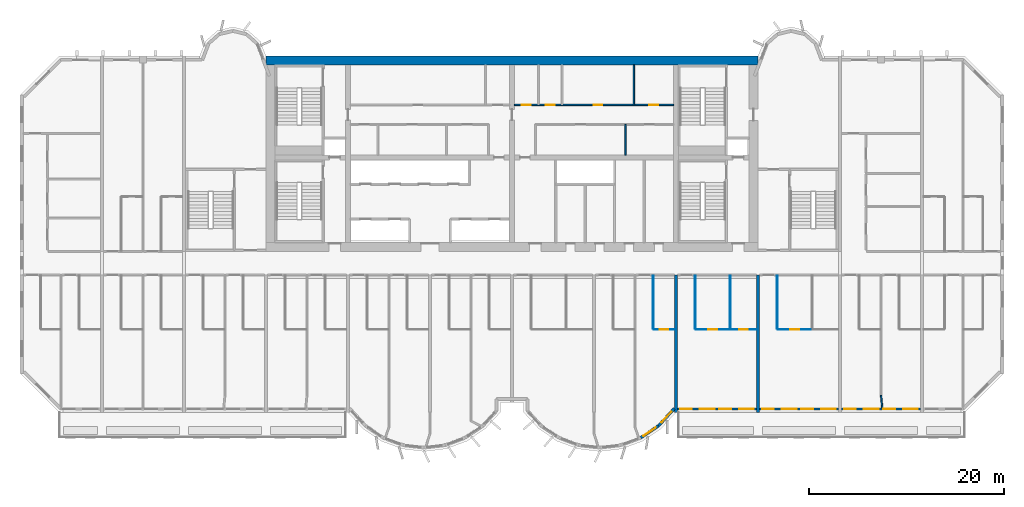
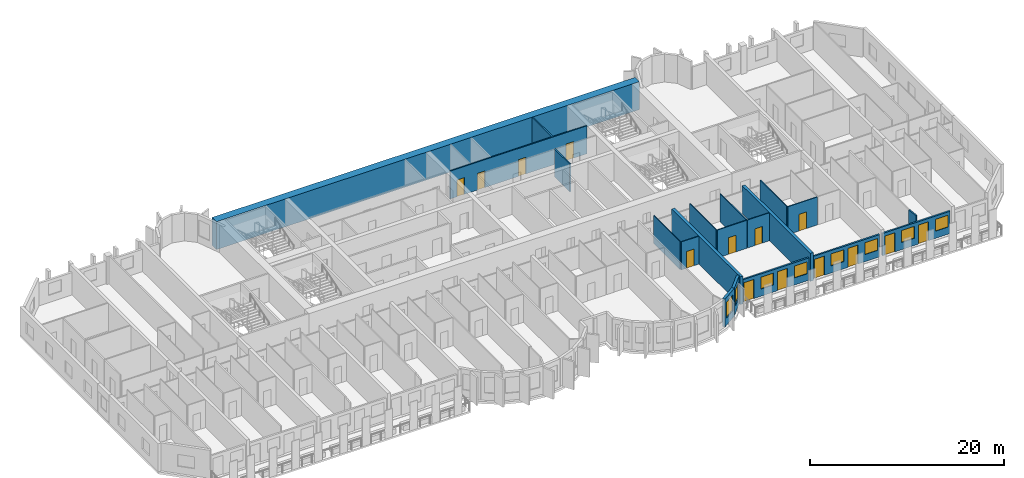
# One storey, part 8 of 15: 20 walls, 14 doors, 8 windows, 22 openings.
"""IFC4 building model written with IfcOpenShell, lengths in metres."""

from ifc_helpers import new_model, si_unit, direction, frame, frame_2d, origin, place, context, subcontext, project, spatial, rectangle, extrude, source, transform, mapped, material, layer, layer_set, type_object, element, fill, save


model = new_model("IFC4")

# Units and contexts
model_context = context("Model", 3, precision=1e-05, world=origin(), true_north=direction((0.0, 1.0)))
body_context = subcontext(model_context, "Body", "Model", "MODEL_VIEW")
ifc_project = project(units=[si_unit("LENGTHUNIT", "METRE"), si_unit("AREAUNIT", "SQUARE_METRE"), si_unit("VOLUMEUNIT", "CUBIC_METRE"), si_unit("PLANEANGLEUNIT", "RADIAN"), si_unit("MASSUNIT", "GRAM", prefix="KILO")], contexts=[model_context])

# Site, building, storey
site_placement = place(None, origin())
site = spatial("IfcSite", under=ifc_project, at=site_placement, CompositionType="ELEMENT")
building_placement = place(site_placement, origin())
building = spatial("IfcBuilding", under=site, at=building_placement, Name="Vanashikhar Sky Hotel", CompositionType="ELEMENT")
storey_placement = place(building_placement, frame((0.0, 0.0, 110.39990234375)))
storey = spatial("IfcBuildingStorey", under=building, at=storey_placement, Name="L26", CompositionType="ELEMENT", Elevation=110.39990234375)

# Walls
ifc_material_1 = material(Name="Concrete M70", Category="concrete")
ifc_layer_1 = layer(ifc_material_1, 0.89990234375)
ifc_layer_set_1 = layer_set([ifc_layer_1], Name="RC core shell wall 900 Concrete M70")
wall_type_1 = type_object("IfcWallType", Name="RC core shell wall 900 Concrete M70", PredefinedType="SHEAR", material=ifc_layer_set_1)
shared_shape_1 = source(origin(), body_context, "Body", "SweptSolid", [
    extrude(rectangle(XDim=50.400146484375, YDim=0.89990234375, at=frame_2d((25.2001953125, 0.0))), origin(), (0.0, 0.0, 1.0), 3.52001953125),
])
wall_1_placement = place(storey_placement, frame((25.199951171875, 41.550048828125, 0.0), z_axis=(0.0, 0.0, 1.0), x_axis=(1.0, 0.0, 0.0)))
element("IfcWall", 1, at=wall_1_placement, inside=storey, type_object=wall_type_1, Name="KW-L26-KN", PredefinedType="SHEAR", context=body_context, shape_type="MappedRepresentation", body=[
    mapped(shared_shape_1, transform((0.0, 0.0, 0.0), scale=1.0)),
])
ifc_layer_2 = layer(ifc_material_1, 0.35009765625)
ifc_layer_set_2 = layer_set([ifc_layer_2], Name="RC shear wall 350 Concrete M70")
wall_type_2 = type_object("IfcWallType", Name="RC shear wall 350 Concrete M70", PredefinedType="SHEAR", material=ifc_layer_set_2)
shared_shape_2 = source(origin(), body_context, "Body", "SweptSolid", [
    extrude(rectangle(XDim=14.10009765625, YDim=0.35009765625, at=frame_2d((7.050048828125, 0.0))), origin(), (0.0, 0.0, 1.0), 3.52001953125),
])
for number, where, z_axis, x_axis, name in (
    (2, (67.199951171875, 5.5, 0.0), (0.0, 0.0, 1.0), (0.0, 1.0, 0.0), "CW-L26-XW09-1"),
    (3, (75.60009765625, 5.5, 0.0), (0.0, 0.0, 1.0), (0.0, 1.0, 0.0), "CW-L26-XW10-1"),
):
    element("IfcWall", number, at=place(storey_placement, frame(where, z_axis=z_axis, x_axis=x_axis)), inside=storey, type_object=wall_type_2, Name=name, PredefinedType="SHEAR", context=body_context, shape_type="MappedRepresentation", body=[
        mapped(shared_shape_2, transform((0.0, 0.0, 0.0), scale=1.0)),
    ])

# Wall, opening, window
ifc_material_2 = material(Name="Concrete M50", Category="concrete")
ifc_layer_3 = layer(ifc_material_2, 0.300048828125)
ifc_layer_set_3 = layer_set([ifc_layer_3], Name="Lobe wall 300")
wall_type_3 = type_object("IfcWallType", Name="Lobe wall 300", PredefinedType="SOLIDWALL", material=ifc_layer_set_3)
shared_shape_3 = source(origin(), body_context, "Body", "SweptSolid", [
    extrude(rectangle(XDim=2.398193359375, YDim=0.300048828125, at=frame_2d((1.19921875, 0.0))), origin(), (0.0, 0.0, 1.0), 3.52001953125),
])
wall_2_placement = place(storey_placement, frame((65.404296875, 4.13134765625, 0.0), z_axis=(0.0, 0.0, 1.0), x_axis=(0.675374189419, 0.737475222815, 0.0)))
wall_2 = element("IfcWall", 4, at=wall_2_placement, inside=storey, type_object=wall_type_3, Name="Lobe wall", PredefinedType="SOLIDWALL", context=body_context, shape_type="MappedRepresentation", body=[
    mapped(shared_shape_3, transform((0.0, 0.0, 0.0), scale=1.0)),
])
shared_shape_4 = source(origin(), body_context, "Body", "SweptSolid", [
    extrude(rectangle(XDim=1.5, YDim=2.0, at=frame_2d((0.75, 1.0))), frame((0.0, 0.16015625, 0.0), z_axis=(0.0, -1.0, 0.0), x_axis=(1.0, 0.0, 0.0)), (0.0, 0.0, 1.0), 0.320068359375),
])
opening_1_placement = place(wall_2_placement, frame((0.44921875, 0.0, 0.89990234375)))
opening_1 = element("IfcOpeningElement", 5, at=opening_1_placement, cuts=wall_2, Name="Opening WN-2", PredefinedType="OPENING", context=body_context, shape_type="MappedRepresentation", body=[
    mapped(shared_shape_4, transform((0.0, 0.0, 0.0), scale=1.0)),
])
ifc_material_3 = material(Name="Glass", Category="glass")
window_type_1 = type_object("IfcWindowType", Name="Lobe window 1500 x 2000", PartitioningType="SINGLE_PANEL", PredefinedType="WINDOW", material=ifc_material_3)
shared_shape_5 = source(origin(), body_context, "Body", "SweptSolid", [
    extrude(rectangle(XDim=1.5, YDim=2.0, at=frame_2d((0.75, 1.0))), frame((0.0, 0.030029296875, 0.0), z_axis=(0.0, -1.0, 0.0), x_axis=(1.0, 0.0, 0.0)), (0.0, 0.0, 1.0), 0.06005859375),
])
window_1_placement = place(opening_1_placement, origin())
window_1 = element("IfcWindow", 6, at=window_1_placement, inside=storey, type_object=window_type_1, Name="Window WN-2", OverallHeight=2.0, OverallWidth=1.5, PartitioningType="SINGLE_PANEL", PredefinedType="WINDOW", context=body_context, shape_type="MappedRepresentation", body=[
    mapped(shared_shape_5, transform((0.0, 0.0, 0.0), scale=1.0)),
])
fill(opening_1, window_1)

shared_shape_6 = source(origin(), body_context, "Body", "SweptSolid", [
    extrude(rectangle(XDim=2.17578125, YDim=0.300048828125, at=frame_2d((1.087890625, 0.0))), origin(), (0.0, 0.0, 1.0), 3.52001953125),
])
wall_3_placement = place(storey_placement, frame((63.59912109375, 2.91650390625, 0.0), z_axis=(0.0, 0.0, 1.0), x_axis=(0.829625727223, 0.558319937607, 0.0)))
wall_3 = element("IfcWall", 7, at=wall_3_placement, inside=storey, type_object=wall_type_3, Name="Lobe wall", PredefinedType="SOLIDWALL", context=body_context, shape_type="MappedRepresentation", body=[
    mapped(shared_shape_6, transform((0.0, 0.0, 0.0), scale=1.0)),
])
opening_2_placement = place(wall_3_placement, frame((0.337890625, 0.0, 0.89990234375)))
opening_2 = element("IfcOpeningElement", 8, at=opening_2_placement, cuts=wall_3, Name="Opening WN-2", PredefinedType="OPENING", context=body_context, shape_type="MappedRepresentation", body=[
    mapped(shared_shape_4, transform((0.0, 0.0, 0.0), scale=1.0)),
])
window_2_placement = place(opening_2_placement, origin())
window_2 = element("IfcWindow", 9, at=window_2_placement, inside=storey, type_object=window_type_1, Name="Window WN-2", OverallHeight=2.0, OverallWidth=1.5, PartitioningType="SINGLE_PANEL", PredefinedType="WINDOW", context=body_context, shape_type="MappedRepresentation", body=[
    mapped(shared_shape_5, transform((0.0, 0.0, 0.0), scale=1.0)),
])
fill(opening_2, window_2)

# Wall, openings, windows, doors
ifc_layer_4 = layer(ifc_material_2, 0.199951171875)
ifc_layer_set_4 = layer_set([ifc_layer_4], Name="Front window wall 200")
wall_type_4 = type_object("IfcWallType", Name="Front window wall 200", PredefinedType="SOLIDWALL", material=ifc_layer_set_4)
shared_shape_7 = source(origin(), body_context, "Body", "SweptSolid", [
    extrude(rectangle(XDim=8.050048828125, YDim=0.199951171875, at=frame_2d((4.02490234375, 0.0))), origin(), (0.0, 0.0, 1.0), 2.820068359375),
])
wall_4_placement = place(storey_placement, frame((67.375, 5.85009765625, 0.0), z_axis=(0.0, 0.0, 1.0), x_axis=(1.0, 0.0, 0.0)))
wall_4 = element("IfcWall", 10, at=wall_4_placement, inside=storey, type_object=wall_type_4, Name="Front window wall", PredefinedType="SOLIDWALL", context=body_context, shape_type="MappedRepresentation", body=[
    mapped(shared_shape_7, transform((0.0, 0.0, 0.0), scale=1.0)),
])
shared_shape_8 = source(origin(), body_context, "Body", "SweptSolid", [
    extrude(rectangle(XDim=1.199951171875, YDim=2.39990234375, at=frame_2d((0.60009765625, 1.199951171875))), frame((0.0, 0.10986328125, 0.0), z_axis=(0.0, -1.0, 0.0), x_axis=(1.0, 0.0, 0.0)), (0.0, 0.0, 1.0), 0.219970703125),
])
opening_3_placement = place(wall_4_placement, frame((0.25, 0.0, 0.0)))
opening_3 = element("IfcOpeningElement", 11, at=opening_3_placement, cuts=wall_4, Name="Opening BD-08", PredefinedType="OPENING", context=body_context, shape_type="MappedRepresentation", body=[
    mapped(shared_shape_8, transform((0.0, 0.0, 0.0), scale=1.0)),
])
shared_shape_9 = source(origin(), body_context, "Body", "SweptSolid", [
    extrude(rectangle(XDim=1.5, YDim=1.5, at=frame_2d((0.75, 0.75))), frame((0.0, 0.10986328125, 0.0), z_axis=(0.0, -1.0, 0.0), x_axis=(1.0, 0.0, 0.0)), (0.0, 0.0, 1.0), 0.219970703125),
])
opening_4_placement = place(wall_4_placement, frame((2.27490234375, 0.0, 0.89990234375)))
opening_4 = element("IfcOpeningElement", 12, at=opening_4_placement, cuts=wall_4, Name="Opening WN-1", PredefinedType="OPENING", context=body_context, shape_type="MappedRepresentation", body=[
    mapped(shared_shape_9, transform((0.0, 0.0, 0.0), scale=1.0)),
])
opening_5_placement = place(wall_4_placement, frame((4.27490234375, 0.0, 0.0)))
opening_5 = element("IfcOpeningElement", 13, at=opening_5_placement, cuts=wall_4, Name="Opening BD-09", PredefinedType="OPENING", context=body_context, shape_type="MappedRepresentation", body=[
    mapped(shared_shape_8, transform((0.0, 0.0, 0.0), scale=1.0)),
])
opening_6_placement = place(wall_4_placement, frame((6.300048828125, 0.0, 0.89990234375)))
opening_6 = element("IfcOpeningElement", 14, at=opening_6_placement, cuts=wall_4, Name="Opening WN-1", PredefinedType="OPENING", context=body_context, shape_type="MappedRepresentation", body=[
    mapped(shared_shape_9, transform((0.0, 0.0, 0.0), scale=1.0)),
])
window_type_2 = type_object("IfcWindowType", Name="Window 1500 x 1500", PartitioningType="SINGLE_PANEL", PredefinedType="WINDOW", material=ifc_material_3)
shared_shape_10 = source(origin(), body_context, "Body", "SweptSolid", [
    extrude(rectangle(XDim=1.5, YDim=1.5, at=frame_2d((0.75, 0.75))), frame((0.0, 0.030029296875, 0.0), z_axis=(0.0, -1.0, 0.0), x_axis=(1.0, 0.0, 0.0)), (0.0, 0.0, 1.0), 0.06005859375),
])
window_3_placement = place(opening_4_placement, origin())
window_3 = element("IfcWindow", 15, at=window_3_placement, inside=storey, type_object=window_type_2, Name="Window WN-1", OverallHeight=1.5, OverallWidth=1.5, PartitioningType="SINGLE_PANEL", PredefinedType="WINDOW", context=body_context, shape_type="MappedRepresentation", body=[
    mapped(shared_shape_10, transform((0.0, 0.0, 0.0), scale=1.0)),
])
fill(opening_4, window_3)
window_4_placement = place(opening_6_placement, origin())
window_4 = element("IfcWindow", 16, at=window_4_placement, inside=storey, type_object=window_type_2, Name="Window WN-1", OverallHeight=1.5, OverallWidth=1.5, PartitioningType="SINGLE_PANEL", PredefinedType="WINDOW", context=body_context, shape_type="MappedRepresentation", body=[
    mapped(shared_shape_10, transform((0.0, 0.0, 0.0), scale=1.0)),
])
fill(opening_6, window_4)
ifc_material_4 = material(Name="Aluminium", Category="aluminium")
door_type_1 = type_object("IfcDoorType", Name="Balcony sliding door 1200 x 2400", OperationType="NOTDEFINED", PredefinedType="DOOR", material=ifc_material_4)
shared_shape_11 = source(origin(), body_context, "Body", "SweptSolid", [
    extrude(rectangle(XDim=1.199951171875, YDim=2.39990234375, at=frame_2d((0.60009765625, 1.199951171875))), frame((0.0, 0.02490234375, 0.0), z_axis=(0.0, -1.0, 0.0), x_axis=(1.0, 0.0, 0.0)), (0.0, 0.0, 1.0), 0.050048828125),
])
door_1_placement = place(opening_3_placement, origin())
door_1 = element("IfcDoor", 17, at=door_1_placement, inside=storey, type_object=door_type_1, Name="Balcony sliding door", OperationType="SLIDING_TO_RIGHT", OverallHeight=2.39990234375, OverallWidth=1.199951171875, PredefinedType="DOOR", context=body_context, shape_type="MappedRepresentation", body=[
    mapped(shared_shape_11, transform((0.0, 0.0, 0.0), scale=1.0)),
])
fill(opening_3, door_1)
door_2_placement = place(opening_5_placement, origin())
door_2 = element("IfcDoor", 18, at=door_2_placement, inside=storey, type_object=door_type_1, Name="Balcony sliding door", OperationType="SLIDING_TO_LEFT", OverallHeight=2.39990234375, OverallWidth=1.199951171875, PredefinedType="DOOR", context=body_context, shape_type="MappedRepresentation", body=[
    mapped(shared_shape_11, transform((0.0, 0.0, 0.0), scale=1.0)),
])
fill(opening_5, door_2)

wall_5_placement = place(storey_placement, frame((75.77490234375, 5.85009765625, 0.0), z_axis=(0.0, 0.0, 1.0), x_axis=(1.0, 0.0, 0.0)))
wall_5 = element("IfcWall", 19, at=wall_5_placement, inside=storey, type_object=wall_type_4, Name="Front window wall", PredefinedType="SOLIDWALL", context=body_context, shape_type="MappedRepresentation", body=[
    mapped(shared_shape_7, transform((0.0, 0.0, 0.0), scale=1.0)),
])
opening_7_placement = place(wall_5_placement, frame((0.25, 0.0, 0.0)))
opening_7 = element("IfcOpeningElement", 20, at=opening_7_placement, cuts=wall_5, Name="Opening BD-10", PredefinedType="OPENING", context=body_context, shape_type="MappedRepresentation", body=[
    mapped(shared_shape_8, transform((0.0, 0.0, 0.0), scale=1.0)),
])
opening_8_placement = place(wall_5_placement, frame((2.27490234375, 0.0, 0.89990234375)))
opening_8 = element("IfcOpeningElement", 21, at=opening_8_placement, cuts=wall_5, Name="Opening WN-1", PredefinedType="OPENING", context=body_context, shape_type="MappedRepresentation", body=[
    mapped(shared_shape_9, transform((0.0, 0.0, 0.0), scale=1.0)),
])
opening_9_placement = place(wall_5_placement, frame((4.27490234375, 0.0, 0.0)))
opening_9 = element("IfcOpeningElement", 22, at=opening_9_placement, cuts=wall_5, Name="Opening BD-11", PredefinedType="OPENING", context=body_context, shape_type="MappedRepresentation", body=[
    mapped(shared_shape_8, transform((0.0, 0.0, 0.0), scale=1.0)),
])
opening_10_placement = place(wall_5_placement, frame((6.300048828125, 0.0, 0.89990234375)))
opening_10 = element("IfcOpeningElement", 23, at=opening_10_placement, cuts=wall_5, Name="Opening WN-1", PredefinedType="OPENING", context=body_context, shape_type="MappedRepresentation", body=[
    mapped(shared_shape_9, transform((0.0, 0.0, 0.0), scale=1.0)),
])
window_5_placement = place(opening_8_placement, origin())
window_5 = element("IfcWindow", 24, at=window_5_placement, inside=storey, type_object=window_type_2, Name="Window WN-1", OverallHeight=1.5, OverallWidth=1.5, PartitioningType="SINGLE_PANEL", PredefinedType="WINDOW", context=body_context, shape_type="MappedRepresentation", body=[
    mapped(shared_shape_10, transform((0.0, 0.0, 0.0), scale=1.0)),
])
fill(opening_8, window_5)
window_6_placement = place(opening_10_placement, origin())
window_6 = element("IfcWindow", 25, at=window_6_placement, inside=storey, type_object=window_type_2, Name="Window WN-1", OverallHeight=1.5, OverallWidth=1.5, PartitioningType="SINGLE_PANEL", PredefinedType="WINDOW", context=body_context, shape_type="MappedRepresentation", body=[
    mapped(shared_shape_10, transform((0.0, 0.0, 0.0), scale=1.0)),
])
fill(opening_10, window_6)
door_3_placement = place(opening_7_placement, origin())
door_3 = element("IfcDoor", 26, at=door_3_placement, inside=storey, type_object=door_type_1, Name="Balcony sliding door", OperationType="SLIDING_TO_RIGHT", OverallHeight=2.39990234375, OverallWidth=1.199951171875, PredefinedType="DOOR", context=body_context, shape_type="MappedRepresentation", body=[
    mapped(shared_shape_11, transform((0.0, 0.0, 0.0), scale=1.0)),
])
fill(opening_7, door_3)
door_4_placement = place(opening_9_placement, origin())
door_4 = element("IfcDoor", 27, at=door_4_placement, inside=storey, type_object=door_type_1, Name="Balcony sliding door", OperationType="SLIDING_TO_LEFT", OverallHeight=2.39990234375, OverallWidth=1.199951171875, PredefinedType="DOOR", context=body_context, shape_type="MappedRepresentation", body=[
    mapped(shared_shape_11, transform((0.0, 0.0, 0.0), scale=1.0)),
])
fill(opening_9, door_4)

wall_6_placement = place(storey_placement, frame((84.175048828125, 5.85009765625, 0.0), z_axis=(0.0, 0.0, 1.0), x_axis=(1.0, 0.0, 0.0)))
wall_6 = element("IfcWall", 28, at=wall_6_placement, inside=storey, type_object=wall_type_4, Name="Front window wall", PredefinedType="SOLIDWALL", context=body_context, shape_type="MappedRepresentation", body=[
    mapped(shared_shape_7, transform((0.0, 0.0, 0.0), scale=1.0)),
])
opening_11_placement = place(wall_6_placement, frame((0.25, 0.0, 0.0)))
opening_11 = element("IfcOpeningElement", 29, at=opening_11_placement, cuts=wall_6, Name="Opening BD-12", PredefinedType="OPENING", context=body_context, shape_type="MappedRepresentation", body=[
    mapped(shared_shape_8, transform((0.0, 0.0, 0.0), scale=1.0)),
])
opening_12_placement = place(wall_6_placement, frame((2.27490234375, 0.0, 0.89990234375)))
opening_12 = element("IfcOpeningElement", 30, at=opening_12_placement, cuts=wall_6, Name="Opening WN-1", PredefinedType="OPENING", context=body_context, shape_type="MappedRepresentation", body=[
    mapped(shared_shape_9, transform((0.0, 0.0, 0.0), scale=1.0)),
])
opening_13_placement = place(wall_6_placement, frame((4.27490234375, 0.0, 0.0)))
opening_13 = element("IfcOpeningElement", 31, at=opening_13_placement, cuts=wall_6, Name="Opening BD-13", PredefinedType="OPENING", context=body_context, shape_type="MappedRepresentation", body=[
    mapped(shared_shape_8, transform((0.0, 0.0, 0.0), scale=1.0)),
])
opening_14_placement = place(wall_6_placement, frame((6.300048828125, 0.0, 0.89990234375)))
opening_14 = element("IfcOpeningElement", 32, at=opening_14_placement, cuts=wall_6, Name="Opening WN-1", PredefinedType="OPENING", context=body_context, shape_type="MappedRepresentation", body=[
    mapped(shared_shape_9, transform((0.0, 0.0, 0.0), scale=1.0)),
])
window_7_placement = place(opening_12_placement, origin())
window_7 = element("IfcWindow", 33, at=window_7_placement, inside=storey, type_object=window_type_2, Name="Window WN-1", OverallHeight=1.5, OverallWidth=1.5, PartitioningType="SINGLE_PANEL", PredefinedType="WINDOW", context=body_context, shape_type="MappedRepresentation", body=[
    mapped(shared_shape_10, transform((0.0, 0.0, 0.0), scale=1.0)),
])
fill(opening_12, window_7)
window_8_placement = place(opening_14_placement, origin())
window_8 = element("IfcWindow", 34, at=window_8_placement, inside=storey, type_object=window_type_2, Name="Window WN-1", OverallHeight=1.5, OverallWidth=1.5, PartitioningType="SINGLE_PANEL", PredefinedType="WINDOW", context=body_context, shape_type="MappedRepresentation", body=[
    mapped(shared_shape_10, transform((0.0, 0.0, 0.0), scale=1.0)),
])
fill(opening_14, window_8)
door_5_placement = place(opening_11_placement, origin())
door_5 = element("IfcDoor", 35, at=door_5_placement, inside=storey, type_object=door_type_1, Name="Balcony sliding door", OperationType="SLIDING_TO_RIGHT", OverallHeight=2.39990234375, OverallWidth=1.199951171875, PredefinedType="DOOR", context=body_context, shape_type="MappedRepresentation", body=[
    mapped(shared_shape_11, transform((0.0, 0.0, 0.0), scale=1.0)),
])
fill(opening_11, door_5)
door_6_placement = place(opening_13_placement, origin())
door_6 = element("IfcDoor", 36, at=door_6_placement, inside=storey, type_object=door_type_1, Name="Balcony sliding door", OperationType="SLIDING_TO_LEFT", OverallHeight=2.39990234375, OverallWidth=1.199951171875, PredefinedType="DOOR", context=body_context, shape_type="MappedRepresentation", body=[
    mapped(shared_shape_11, transform((0.0, 0.0, 0.0), scale=1.0)),
])
fill(opening_13, door_6)

# Walls
ifc_material_5 = material(Name="Gypsum board partition")
ifc_layer_5 = layer(ifc_material_5, 0.14990234375)
ifc_layer_set_5 = layer_set([ifc_layer_5], Name="Service partition 150")
wall_type_5 = type_object("IfcWallType", Name="Service partition 150", PredefinedType="PARTITIONING", material=ifc_layer_set_5)
shared_shape_12 = source(origin(), body_context, "Body", "SweptSolid", [
    extrude(rectangle(XDim=3.14990234375, YDim=0.14990234375, at=frame_2d((1.574951171875, 0.0))), origin(), (0.0, 0.0, 1.0), 3.52001953125),
])
wall_7_placement = place(storey_placement, frame((62.02392578125, 31.85009765625, 0.0), z_axis=(0.0, 0.0, 1.0), x_axis=(0.0, 1.0, 0.0)))
element("IfcWall", 37, at=wall_7_placement, inside=storey, type_object=wall_type_5, Name="Service partition 150", PredefinedType="PARTITIONING", context=body_context, shape_type="MappedRepresentation", body=[
    mapped(shared_shape_12, transform((0.0, 0.0, 0.0), scale=1.0)),
])
shared_shape_13 = source(origin(), body_context, "Body", "SweptSolid", [
    extrude(rectangle(XDim=4.10009765625, YDim=0.14990234375, at=frame_2d((2.050048828125, 0.0))), origin(), (0.0, 0.0, 1.0), 3.52001953125),
])
wall_8_placement = place(storey_placement, frame((62.875, 37.0, 0.0), z_axis=(0.0, 0.0, 1.0), x_axis=(0.0, 1.0, 0.0)))
element("IfcWall", 38, at=wall_8_placement, inside=storey, type_object=wall_type_5, Name="Service partition 150", PredefinedType="PARTITIONING", context=body_context, shape_type="MappedRepresentation", body=[
    mapped(shared_shape_13, transform((0.0, 0.0, 0.0), scale=1.0)),
])

# Wall, openings, doors
shared_shape_14 = source(origin(), body_context, "Body", "SweptSolid", [
    extrude(rectangle(XDim=16.300048828125, YDim=0.14990234375, at=frame_2d((8.14990234375, 0.0))), origin(), (0.0, 0.0, 1.0), 3.52001953125),
])
wall_9_placement = place(storey_placement, frame((66.949951171875, 37.0, 0.0), z_axis=(0.0, 0.0, 1.0), x_axis=(-1.0, 0.0, 0.0)))
wall_9 = element("IfcWall", 39, at=wall_9_placement, inside=storey, type_object=wall_type_5, Name="Service partition 150", PredefinedType="PARTITIONING", context=body_context, shape_type="MappedRepresentation", body=[
    mapped(shared_shape_14, transform((0.0, 0.0, 0.0), scale=1.0)),
])
shared_shape_15 = source(origin(), body_context, "Body", "SweptSolid", [
    extrude(rectangle(XDim=0.89990234375, YDim=2.10009765625, at=frame_2d((0.449951171875, 1.050048828125))), frame((0.0, 0.0849609375, 0.0), z_axis=(0.0, -1.0, 0.0), x_axis=(1.0, 0.0, 0.0)), (0.0, 0.0, 1.0), 0.169921875),
])
opening_15_placement = place(wall_9_placement, frame((1.587890625, 0.0, 0.0)))
opening_15 = element("IfcOpeningElement", 40, at=opening_15_placement, cuts=wall_9, Name="Opening DC-4-A", PredefinedType="OPENING", context=body_context, shape_type="MappedRepresentation", body=[
    mapped(shared_shape_15, transform((0.0, 0.0, 0.0), scale=1.0)),
])
opening_16_placement = place(wall_9_placement, frame((7.29296875, 0.0, 0.0)))
opening_16 = element("IfcOpeningElement", 41, at=opening_16_placement, cuts=wall_9, Name="Opening DC-4-A", PredefinedType="OPENING", context=body_context, shape_type="MappedRepresentation", body=[
    mapped(shared_shape_15, transform((0.0, 0.0, 0.0), scale=1.0)),
])
opening_17_placement = place(wall_9_placement, frame((12.18310546875, 0.0, 0.0)))
opening_17 = element("IfcOpeningElement", 42, at=opening_17_placement, cuts=wall_9, Name="Opening DC-4-A", PredefinedType="OPENING", context=body_context, shape_type="MappedRepresentation", body=[
    mapped(shared_shape_15, transform((0.0, 0.0, 0.0), scale=1.0)),
])
opening_18_placement = place(wall_9_placement, frame((14.626953125, 0.0, 0.0)))
opening_18 = element("IfcOpeningElement", 43, at=opening_18_placement, cuts=wall_9, Name="Opening DC-4-A", PredefinedType="OPENING", context=body_context, shape_type="MappedRepresentation", body=[
    mapped(shared_shape_15, transform((0.0, 0.0, 0.0), scale=1.0)),
])
ifc_material_6 = material(Name="Steel", Category="steel")
door_type_2 = type_object("IfcDoorType", Name="Service door 900 FD60", OperationType="NOTDEFINED", PredefinedType="DOOR", material=ifc_material_6)
shared_shape_16 = source(origin(), body_context, "Body", "SweptSolid", [
    extrude(rectangle(XDim=0.89990234375, YDim=2.10009765625, at=frame_2d((0.449951171875, 1.050048828125))), frame((0.0, 0.02490234375, 0.0), z_axis=(0.0, -1.0, 0.0), x_axis=(1.0, 0.0, 0.0)), (0.0, 0.0, 1.0), 0.050048828125),
])
door_7_placement = place(opening_15_placement, origin())
door_7 = element("IfcDoor", 44, at=door_7_placement, inside=storey, type_object=door_type_2, Name="Service door 900 FD60", OperationType="SINGLE_SWING_LEFT", OverallHeight=2.10009765625, OverallWidth=0.89990234375, PredefinedType="DOOR", context=body_context, shape_type="MappedRepresentation", body=[
    mapped(shared_shape_16, transform((0.0, 0.0, 0.0), scale=1.0)),
])
fill(opening_15, door_7)
door_8_placement = place(opening_16_placement, origin())
door_8 = element("IfcDoor", 45, at=door_8_placement, inside=storey, type_object=door_type_2, Name="Service door 900 FD60", OperationType="SINGLE_SWING_LEFT", OverallHeight=2.10009765625, OverallWidth=0.89990234375, PredefinedType="DOOR", context=body_context, shape_type="MappedRepresentation", body=[
    mapped(shared_shape_16, transform((0.0, 0.0, 0.0), scale=1.0)),
])
fill(opening_16, door_8)
door_9_placement = place(opening_17_placement, origin())
door_9 = element("IfcDoor", 46, at=door_9_placement, inside=storey, type_object=door_type_2, Name="Service door 900 FD60", OperationType="SINGLE_SWING_LEFT", OverallHeight=2.10009765625, OverallWidth=0.89990234375, PredefinedType="DOOR", context=body_context, shape_type="MappedRepresentation", body=[
    mapped(shared_shape_16, transform((0.0, 0.0, 0.0), scale=1.0)),
])
fill(opening_17, door_9)
door_10_placement = place(opening_18_placement, origin())
door_10 = element("IfcDoor", 47, at=door_10_placement, inside=storey, type_object=door_type_2, Name="Service door 900 FD60", OperationType="SINGLE_SWING_RIGHT", OverallHeight=2.10009765625, OverallWidth=0.89990234375, PredefinedType="DOOR", context=body_context, shape_type="MappedRepresentation", body=[
    mapped(shared_shape_16, transform((0.0, 0.0, 0.0), scale=1.0)),
])
fill(opening_18, door_10)

# Wall, opening, door
ifc_material_7 = material(Name="Gypsum plasterboard partition")
ifc_layer_6 = layer(ifc_material_7, 0.10009765625)
ifc_layer_set_6 = layer_set([ifc_layer_6], Name="Wet room partition 100")
wall_type_6 = type_object("IfcWallType", Name="Wet room partition 100", PredefinedType="PARTITIONING", material=ifc_layer_set_6)
shared_shape_17 = source(origin(), body_context, "Body", "SweptSolid", [
    extrude(rectangle(XDim=3.5, YDim=0.10009765625, at=frame_2d((1.75, 0.0))), origin(), (0.0, 0.0, 1.0), 3.52001953125),
])
wall_10_placement = place(storey_placement, frame((69.22509765625, 14.0, 0.0), z_axis=(0.0, 0.0, 1.0), x_axis=(1.0, 0.0, 0.0)))
wall_10 = element("IfcWall", 48, at=wall_10_placement, inside=storey, type_object=wall_type_6, Name="W-L26-PW057", PredefinedType="PARTITIONING", context=body_context, shape_type="MappedRepresentation", body=[
    mapped(shared_shape_17, transform((0.0, 0.0, 0.0), scale=1.0)),
])
shared_shape_18 = source(origin(), body_context, "Body", "SweptSolid", [
    extrude(rectangle(XDim=0.89990234375, YDim=2.10009765625, at=frame_2d((0.449951171875, 1.050048828125))), frame((0.0, 0.06005859375, 0.0), z_axis=(0.0, -1.0, 0.0), x_axis=(1.0, 0.0, 0.0)), (0.0, 0.0, 1.0), 0.1201171875),
])
opening_19_placement = place(wall_10_placement, frame((1.300048828125, 0.0, 0.0)))
opening_19 = element("IfcOpeningElement", 49, at=opening_19_placement, cuts=wall_10, Name="Opening D-02", PredefinedType="OPENING", context=body_context, shape_type="MappedRepresentation", body=[
    mapped(shared_shape_18, transform((0.0, 0.0, 0.0), scale=1.0)),
])
ifc_material_8 = material(Name="Timber door", Category="wood")
door_type_3 = type_object("IfcDoorType", Name="Internal door 900", OperationType="NOTDEFINED", PredefinedType="DOOR", material=ifc_material_8)
door_11_placement = place(opening_19_placement, origin())
door_11 = element("IfcDoor", 50, at=door_11_placement, inside=storey, type_object=door_type_3, Name="D-L26-032", OperationType="SINGLE_SWING_LEFT", OverallHeight=2.10009765625, OverallWidth=0.89990234375, PredefinedType="DOOR", context=body_context, shape_type="MappedRepresentation", body=[
    mapped(shared_shape_16, transform((0.0, 0.0, 0.0), scale=1.0)),
])
fill(opening_19, door_11)

wall_11_placement = place(storey_placement, frame((77.625, 14.0, 0.0), z_axis=(0.0, 0.0, 1.0), x_axis=(1.0, 0.0, 0.0)))
wall_11 = element("IfcWall", 51, at=wall_11_placement, inside=storey, type_object=wall_type_6, Name="W-L26-PW062", PredefinedType="PARTITIONING", context=body_context, shape_type="MappedRepresentation", body=[
    mapped(shared_shape_17, transform((0.0, 0.0, 0.0), scale=1.0)),
])
opening_20_placement = place(wall_11_placement, frame((1.300048828125, 0.0, 0.0)))
opening_20 = element("IfcOpeningElement", 52, at=opening_20_placement, cuts=wall_11, Name="Opening D-02", PredefinedType="OPENING", context=body_context, shape_type="MappedRepresentation", body=[
    mapped(shared_shape_18, transform((0.0, 0.0, 0.0), scale=1.0)),
])
door_12_placement = place(opening_20_placement, origin())
door_12 = element("IfcDoor", 53, at=door_12_placement, inside=storey, type_object=door_type_3, Name="D-L26-035", OperationType="SINGLE_SWING_LEFT", OverallHeight=2.10009765625, OverallWidth=0.89990234375, PredefinedType="DOOR", context=body_context, shape_type="MappedRepresentation", body=[
    mapped(shared_shape_16, transform((0.0, 0.0, 0.0), scale=1.0)),
])
fill(opening_20, door_12)

# Walls
shared_shape_19 = source(origin(), body_context, "Body", "SweptSolid", [
    extrude(rectangle(XDim=5.449951171875, YDim=0.10009765625, at=frame_2d((2.72509765625, 0.0))), origin(), (0.0, 0.0, 1.0), 3.52001953125),
])
for number, where, z_axis, x_axis, name in (
    (54, (64.875, 14.074951171875, 0.0), (0.0, 0.0, 1.0), (0.0, 1.0, 0.0), "W-L26-PW051"),
    (55, (69.175048828125, 14.074951171875, 0.0), (0.0, 0.0, 1.0), (0.0, 1.0, 0.0), "W-L26-PW055"),
    (56, (72.77490234375, 14.074951171875, 0.0), (0.0, 0.0, 1.0), (0.0, 1.0, 0.0), "W-L26-PW056"),
    (57, (77.574951171875, 14.074951171875, 0.0), (0.0, 0.0, 1.0), (0.0, 1.0, 0.0), "W-L26-PW060"),
):
    element("IfcWall", number, at=place(storey_placement, frame(where, z_axis=z_axis, x_axis=x_axis)), inside=storey, type_object=wall_type_6, Name=name, PredefinedType="PARTITIONING", context=body_context, shape_type="MappedRepresentation", body=[
        mapped(shared_shape_19, transform((0.0, 0.0, 0.0), scale=1.0)),
    ])

# Wall, opening, door
shared_shape_20 = source(origin(), body_context, "Body", "SweptSolid", [
    extrude(rectangle(XDim=2.60009765625, YDim=0.10009765625, at=frame_2d((1.300048828125, 0.0))), origin(), (0.0, 0.0, 1.0), 3.52001953125),
])
wall_12_placement = place(storey_placement, frame((72.824951171875, 14.0, 0.0), z_axis=(0.0, 0.0, 1.0), x_axis=(1.0, 0.0, 0.0)))
wall_12 = element("IfcWall", 58, at=wall_12_placement, inside=storey, type_object=wall_type_6, Name="W-L26-PW058", PredefinedType="PARTITIONING", context=body_context, shape_type="MappedRepresentation", body=[
    mapped(shared_shape_20, transform((0.0, 0.0, 0.0), scale=1.0)),
])
opening_21_placement = place(wall_12_placement, frame((0.85009765625, 0.0, 0.0)))
opening_21 = element("IfcOpeningElement", 59, at=opening_21_placement, cuts=wall_12, Name="Opening D-02", PredefinedType="OPENING", context=body_context, shape_type="MappedRepresentation", body=[
    mapped(shared_shape_18, transform((0.0, 0.0, 0.0), scale=1.0)),
])
door_13_placement = place(opening_21_placement, origin())
door_13 = element("IfcDoor", 60, at=door_13_placement, inside=storey, type_object=door_type_3, Name="D-L26-033", OperationType="SINGLE_SWING_LEFT", OverallHeight=2.10009765625, OverallWidth=0.89990234375, PredefinedType="DOOR", context=body_context, shape_type="MappedRepresentation", body=[
    mapped(shared_shape_16, transform((0.0, 0.0, 0.0), scale=1.0)),
])
fill(opening_21, door_13)

shared_shape_21 = source(origin(), body_context, "Body", "SweptSolid", [
    extrude(rectangle(XDim=2.099853515625, YDim=0.10009765625, at=frame_2d((1.0498046875, 0.0))), origin(), (0.0, 0.0, 1.0), 3.52001953125),
])
wall_13_placement = place(storey_placement, frame((64.925048828125, 14.0, 0.0), z_axis=(0.0, 0.0, 1.0), x_axis=(1.0, 0.0, 0.0)))
wall_13 = element("IfcWall", 61, at=wall_13_placement, inside=storey, type_object=wall_type_6, Name="W-L26-PW052", PredefinedType="PARTITIONING", context=body_context, shape_type="MappedRepresentation", body=[
    mapped(shared_shape_21, transform((0.0, 0.0, 0.0), scale=1.0)),
])
opening_22_placement = place(wall_13_placement, frame((0.60009765625, 0.0, 0.0)))
opening_22 = element("IfcOpeningElement", 62, at=opening_22_placement, cuts=wall_13, Name="Opening D-02", PredefinedType="OPENING", context=body_context, shape_type="MappedRepresentation", body=[
    mapped(shared_shape_18, transform((0.0, 0.0, 0.0), scale=1.0)),
])
door_14_placement = place(opening_22_placement, origin())
door_14 = element("IfcDoor", 63, at=door_14_placement, inside=storey, type_object=door_type_3, Name="D-L26-030", OperationType="SINGLE_SWING_LEFT", OverallHeight=2.10009765625, OverallWidth=0.89990234375, PredefinedType="DOOR", context=body_context, shape_type="MappedRepresentation", body=[
    mapped(shared_shape_16, transform((0.0, 0.0, 0.0), scale=1.0)),
])
fill(opening_22, door_14)

# Wall
ifc_layer_7 = layer(ifc_material_7, 0.14990234375)
ifc_layer_set_7 = layer_set([ifc_layer_7], Name="Corridor and demising partition 150")
wall_type_7 = type_object("IfcWallType", Name="Corridor and demising partition 150", PredefinedType="PARTITIONING", material=ifc_layer_set_7)
shared_shape_22 = source(origin(), body_context, "Body", "SweptSolid", [
    extrude(rectangle(XDim=1.306640625, YDim=0.14990234375, at=frame_2d((0.6533203125, 0.0))), origin(), (0.0, 0.0, 1.0), 3.52001953125),
])
wall_14_placement = place(storey_placement, frame((88.330078125, 5.949951171875, 0.0), z_axis=(0.0, 0.0, 1.0), x_axis=(-0.099596223396, 0.99502793543, 0.0)))
element("IfcWall", 64, at=wall_14_placement, inside=storey, type_object=wall_type_7, Name="W-L26-PW071B0", PredefinedType="PARTITIONING", context=body_context, shape_type="MappedRepresentation", body=[
    mapped(shared_shape_22, transform((0.0, 0.0, 0.0), scale=1.0)),
])

save(model, "model.ifc")
